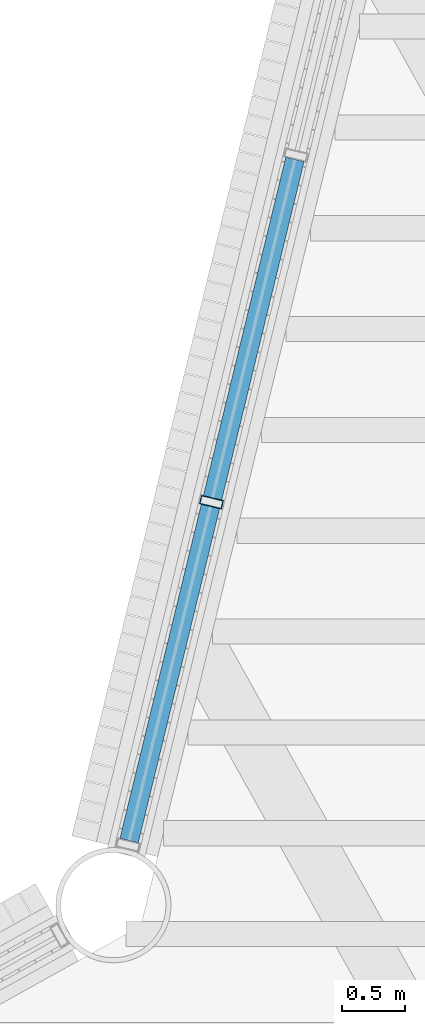
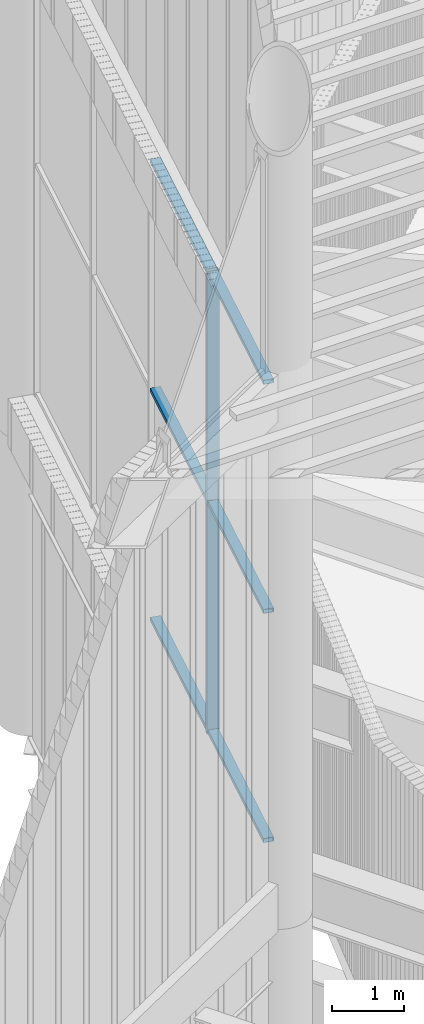
# One storey, part 39 of 117: 7 members, 1 element without a shape of its own.
"""IFC4 building model written with IfcOpenShell, lengths in metres."""

import ifcopenshell
import ifcopenshell.guid

model = None  # the IFC model being written
_history = None  # IfcOwnerHistory: only IFC2X3 demands one
_inside = {}  # id of a spatial element -> (the spatial element, [elements in it])
_under = {}  # id of a project, library or spatial element -> (it, [spatial elements below it])
_declared = {}  # id of a project -> (the project, [libraries it declares])
_typed = {}  # id of a type object -> (the type object, [elements of that type])
_made_of = {}  # id of a material, layer set ... -> (it, [elements and type objects made of it])


def new_model(schema):
    """Start an empty IFC model of exactly this schema.

    Asked for "IFC4X3", IfcOpenShell would pick the latest addendum, in which some entities
    have other attributes; the version numbers below select the first issue.
    IFC2X3 requires an IfcOwnerHistory on every rooted entity: one is made here for all.
    """
    global model, _history
    if schema == "IFC4X3":
        model = ifcopenshell.file(schema_version=(4, 3, 0, 0))
    else:
        model = ifcopenshell.file(schema=schema)
    _inside.clear()
    _under.clear()
    _declared.clear()
    _typed.clear()
    _made_of.clear()
    _history = None
    if model.schema == "IFC2X3":
        org = make("IfcOrganization", Name="unknown")
        user = make(
            "IfcPersonAndOrganization",
            ThePerson=make("IfcPerson", FamilyName="unknown"),
            TheOrganization=org,
        )
        app = make(
            "IfcApplication",
            ApplicationDeveloper=org,
            Version="unknown",
            ApplicationFullName="unknown",
            ApplicationIdentifier="unknown",
        )
        _history = make(
            "IfcOwnerHistory",
            OwningUser=user,
            OwningApplication=app,
            ChangeAction="ADDED",
            CreationDate=0,
        )
    return model


def make(cls, **values):
    """One entity of the class cls with the attributes given. An attribute that is None is left unset."""
    return model.create_entity(
        cls, **{name: value for name, value in values.items() if value is not None}
    )


def rooted(cls, **values):
    """An entity with a GlobalId (a new one), such as an element, a storey or a relation."""
    return make(cls, GlobalId=ifcopenshell.guid.new(), OwnerHistory=_history, **values)


def si_unit(unit_type, name, prefix=None):
    """IfcSIUnit, for example si_unit("LENGTHUNIT", "METRE", prefix="MILLI")."""
    return make("IfcSIUnit", UnitType=unit_type, Prefix=prefix, Name=name)


def assignment(units):
    """IfcUnitAssignment: the units of a project."""
    return None if units is None else make("IfcUnitAssignment", Units=units)


def point(xyz):
    """IfcCartesianPoint."""
    return None if xyz is None else make("IfcCartesianPoint", Coordinates=xyz)


def direction(xyz):
    """IfcDirection."""
    return None if xyz is None else make("IfcDirection", DirectionRatios=xyz)


def frame(location, z_axis=None, x_axis=None):
    """IfcAxis2Placement3D, a coordinate frame: its origin and axes. An axis left out is left unset."""
    return make(
        "IfcAxis2Placement3D",
        Location=point(location),
        Axis=direction(z_axis),
        RefDirection=direction(x_axis),
    )


def frame_2d(location, x_axis=None):
    """IfcAxis2Placement2D, a coordinate frame in the plane: its origin and x axis."""
    return make(
        "IfcAxis2Placement2D", Location=point(location), RefDirection=direction(x_axis)
    )


def origin():
    """The frame at (0, 0, 0) with its axes left unset."""
    return frame((0.0, 0.0, 0.0))


def origin_2d():
    """The frame at (0, 0) in the plane with its x axis left unset."""
    return frame_2d((0.0, 0.0))


def place(relative_to, where):
    """IfcLocalPlacement: puts the frame where relative to a parent placement (None: the world)."""
    return make(
        "IfcLocalPlacement", PlacementRelTo=relative_to, RelativePlacement=where
    )


def context(
    kind, dimensions, precision=None, world=None, true_north=None, identifier=None
):
    """IfcGeometricRepresentationContext, for example the 3D "Model" context."""
    return make(
        "IfcGeometricRepresentationContext",
        ContextIdentifier=identifier,
        ContextType=kind,
        CoordinateSpaceDimension=dimensions,
        Precision=precision,
        WorldCoordinateSystem=world,
        TrueNorth=true_north,
    )


def subcontext(parent, identifier, kind, view, scale=None):
    """IfcGeometricRepresentationSubContext, for example "Body" below "Model"."""
    return make(
        "IfcGeometricRepresentationSubContext",
        ContextIdentifier=identifier,
        ContextType=kind,
        ParentContext=parent,
        TargetScale=scale,
        TargetView=view,
    )


def project(units=None, contexts=None):
    """IfcProject with its units and contexts."""
    return rooted(
        "IfcProject",
        Name="project",
        RepresentationContexts=contexts,
        UnitsInContext=assignment(units),
    )


def spatial(cls, under=None, at=None, **own):
    """A site, building, storey or space (cls), placed at a placement, below another one or the project."""
    s = rooted(cls, ObjectPlacement=at, **own)
    if under is not None:
        _under.setdefault(under.id(), (under, []))[1].append(s)
    return s


def profile(cls, at=None, kind="AREA", **sizes):
    """A parametric profile (cls). Its sizes go by their IFC names, for example OverallWidth=200.0."""
    return make(cls, ProfileType=kind, Position=at, **sizes)


def hollow_rectangle(**sizes):
    """IfcRectangleHollowProfileDef."""
    return profile("IfcRectangleHollowProfileDef", **sizes)


def extrude(swept, where, along, depth):
    """IfcExtrudedAreaSolid: the profile swept, set in the frame where, extruded along a direction by depth."""
    return make(
        "IfcExtrudedAreaSolid",
        SweptArea=swept,
        Position=where,
        ExtrudedDirection=direction(along),
        Depth=depth,
    )


def shape(context_of_items, identifier, shape_type, items):
    """IfcShapeRepresentation: the items that make up one representation, for example the "Body"."""
    return make(
        "IfcShapeRepresentation",
        ContextOfItems=context_of_items,
        RepresentationIdentifier=identifier,
        RepresentationType=shape_type,
        Items=items,
    )


def material(Name=None, Category=None):
    """IfcMaterial."""
    return make("IfcMaterial", Name=Name, Category=Category)


def layer(
    of_material, thickness, ventilated=None, Name=None, Category=None, Priority=None
):
    """IfcMaterialLayer: one layer of a wall or slab, of a material (None: an air gap)."""
    return make(
        "IfcMaterialLayer",
        Material=of_material,
        LayerThickness=thickness,
        IsVentilated=ventilated,
        Name=Name,
        Category=Category,
        Priority=Priority,
    )


def layer_set(layers, Name=None):
    """IfcMaterialLayerSet."""
    return make("IfcMaterialLayerSet", MaterialLayers=layers, LayerSetName=Name)


def material_profile(
    of_material, cross_section, Name=None, Category=None, Priority=None
):
    """IfcMaterialProfile: a cross section and its material."""
    return make(
        "IfcMaterialProfile",
        Name=Name,
        Material=of_material,
        Profile=cross_section,
        Priority=Priority,
        Category=Category,
    )


def profile_set(profiles, Name=None, composite=None):
    """IfcMaterialProfileSet."""
    return make(
        "IfcMaterialProfileSet",
        Name=Name,
        MaterialProfiles=profiles,
        CompositeProfile=composite,
    )


def made_of(thing, what):
    """Note that an element or type object is made of a material, layer set ...; save() writes the relation."""
    if what is not None:
        _made_of.setdefault(what.id(), (what, []))[1].append(thing)
    return thing


def type_object(cls, material=None, **own):
    """A type object (cls), such as IfcWallType, which elements share."""
    return made_of(rooted(cls, **own), material)


def element(
    cls,
    number,
    at=None,
    inside=None,
    cuts=None,
    type_object=None,
    material=None,
    context=None,
    identifier="Body",
    shape_type=None,
    held_by="IfcProductDefinitionShape",
    body=None,
    shapes=None,
    **own,
):
    """One element of the class cls, such as IfcWall. Its Tag is "e" and its number.

    at: its placement. inside: the storey or other place that contains it. cuts: it is an
    opening in that element (IfcRelVoidsElement). A single representation is given by context,
    identifier, shape_type and body (its items); several are given by shapes. held_by: the class
    of the entity that holds the representations. save() writes the other relations.
    """
    e = rooted(cls, Tag="e%d" % number, ObjectPlacement=at, **own)
    if body is not None:
        shapes = [shape(context, identifier, shape_type, body)]
    if shapes is not None:
        e.Representation = make(held_by, Representations=shapes)
    if inside is not None:
        _inside.setdefault(inside.id(), (inside, []))[1].append(e)
    if cuts is not None:
        rooted(
            "IfcRelVoidsElement", RelatingBuildingElement=cuts, RelatedOpeningElement=e
        )
    if type_object is not None:
        _typed.setdefault(type_object.id(), (type_object, []))[1].append(e)
    return made_of(e, material)


def aggregate(whole, parts):
    """IfcRelAggregates: a whole, such as a stair, and the parts it consists of."""
    return rooted("IfcRelAggregates", RelatingObject=whole, RelatedObjects=parts)


def save(model, path):
    """Write the relations noted so far, then the file.

    IfcRelAggregates (storeys below a building ...), IfcRelContainedInSpatialStructure (elements
    in a storey), IfcRelDefinesByType, IfcRelAssociatesMaterial and IfcRelDeclares: one each for
    every whole, place, type object, material and project.
    """
    for whole, parts in _under.values():
        aggregate(whole, parts)
    for where, things in _inside.values():
        rooted(
            "IfcRelContainedInSpatialStructure",
            RelatedElements=things,
            RelatingStructure=where,
        )
    for kind, things in _typed.values():
        rooted("IfcRelDefinesByType", RelatedObjects=things, RelatingType=kind)
    for what, things in _made_of.values():
        rooted("IfcRelAssociatesMaterial", RelatedObjects=things, RelatingMaterial=what)
    for by, libraries in _declared.values():
        rooted("IfcRelDeclares", RelatingContext=by, RelatedDefinitions=libraries)
    model.write(path)


model = new_model("IFC4")

# Units and contexts
model_context = context("Model", 3, precision=1e-05, world=origin(), true_north=direction((0.0, 1.0)))
body_context = subcontext(model_context, "Body", "Model", "MODEL_VIEW")
ifc_project = project(units=[si_unit("LENGTHUNIT", "METRE"), si_unit("AREAUNIT", "SQUARE_METRE"), si_unit("VOLUMEUNIT", "CUBIC_METRE"), si_unit("PLANEANGLEUNIT", "RADIAN"), si_unit("MASSUNIT", "GRAM", prefix="KILO")], contexts=[model_context])

# Site, building, storey
site_placement = place(None, origin())
site = spatial("IfcSite", under=ifc_project, at=site_placement, CompositionType="ELEMENT")
building_placement = place(site_placement, origin())
building = spatial("IfcBuilding", under=site, at=building_placement, Name="Tarsis Ring Headquarters", CompositionType="ELEMENT")
storey_placement = place(building_placement, frame((0.0, 0.0, 403.60009765625)))
storey = spatial("IfcBuildingStorey", under=building, at=storey_placement, Name="L95", CompositionType="ELEMENT", Elevation=403.60009765625)

# Curtain wall, members
ifc_material_1 = material(Name="Aluminium curtain wall", Category="aluminium")
ifc_layer = layer(ifc_material_1, 0.179931640625)
ifc_layer_set = layer_set([ifc_layer], Name="Curtain wall crown glazing")
curtain_wall_type = type_object("IfcCurtainWallType", Name="Curtain wall crown glazing", PredefinedType="NOTDEFINED", material=ifc_layer_set)
curtain_wall_placement = place(storey_placement, origin())
curtain_wall = element("IfcCurtainWall", 1, at=curtain_wall_placement, inside=storey, type_object=curtain_wall_type, Name="Crown glazing L13", PredefinedType="NOTDEFINED")
ifc_material_2 = material(Name="Aluminium mullion", Category="aluminium")
ifc_material_profile_1 = material_profile(ifc_material_2, hollow_rectangle(XDim=0.179931640625, YDim=0.070068359375, WallThickness=0.0048828125, at=origin_2d()), Name="RHS 180x70x5")
ifc_profile_set_1 = profile_set([ifc_material_profile_1], Name="Aluminium mullion")
member_type_1 = type_object("IfcMemberType", Name="Crown glazing mullion RHS 180x70x5", PredefinedType="MULLION", material=ifc_profile_set_1)
member_1_placement = place(storey_placement, frame((-28.260009765625, 3.962890625, 5.7998046875), z_axis=(0.0, 0.0, 1.0), x_axis=(0.971626473978, -0.236520601779, 0.0)))
member_1 = element("IfcMember", 2, at=member_1_placement, type_object=member_type_1, Name="CW-C mullion 4", PredefinedType="MULLION", context=body_context, shape_type="SweptSolid", body=[
    extrude(hollow_rectangle(XDim=0.179931640625, YDim=0.070068359375, WallThickness=0.0048828125, at=origin_2d()), origin(), (0.0, 0.0, 1.0), 7.800048828125),
])
ifc_material_3 = material(Name="Aluminium transom", Category="aluminium")
ifc_material_profile_2 = material_profile(ifc_material_3, hollow_rectangle(XDim=0.14990234375, YDim=0.070068359375, WallThickness=0.0048828125, at=origin_2d()), Name="RHS 150x70x5")
ifc_profile_set_2 = profile_set([ifc_material_profile_2], Name="Aluminium transom")
member_type_2 = type_object("IfcMemberType", Name="Crown glazing transom RHS 150x70x5", PredefinedType="USERDEFINED", material=ifc_profile_set_2)
member_2_placement = place(storey_placement, frame((-27.59814453125, 6.68212890625, 5.8349609375), z_axis=(-0.236482318073, -0.971635792485, 0.0), x_axis=(0.971635792485, -0.236482318073, 0.0)))
member_2 = element("IfcMember", 3, at=member_2_placement, type_object=member_type_2, Name="CW-C transom 3.1", ObjectType="TRANSOM", PredefinedType="USERDEFINED", context=body_context, shape_type="SweptSolid", body=[
    extrude(hollow_rectangle(XDim=0.14990234375, YDim=0.070068359375, WallThickness=0.0048828125, at=origin_2d()), origin(), (0.0, 0.0, 1.0), 2.763671875),
])
member_3_placement = place(storey_placement, frame((-27.59814453125, 6.68212890625, 9.699951171875), z_axis=(-0.236482318073, -0.971635792485, 0.0), x_axis=(0.971635792485, -0.236482318073, 0.0)))
member_3 = element("IfcMember", 4, at=member_3_placement, type_object=member_type_2, Name="CW-C transom 3.2", ObjectType="TRANSOM", PredefinedType="USERDEFINED", context=body_context, shape_type="SweptSolid", body=[
    extrude(hollow_rectangle(XDim=0.14990234375, YDim=0.070068359375, WallThickness=0.0048828125, at=origin_2d()), origin(), (0.0, 0.0, 1.0), 2.763671875),
])
member_4_placement = place(storey_placement, frame((-27.59814453125, 6.68212890625, 13.56494140625), z_axis=(-0.236482318073, -0.971635792485, 0.0), x_axis=(0.971635792485, -0.236482318073, 0.0)))
member_4 = element("IfcMember", 5, at=member_4_placement, type_object=member_type_2, Name="CW-C transom 3.3", ObjectType="TRANSOM", PredefinedType="USERDEFINED", context=body_context, shape_type="SweptSolid", body=[
    extrude(hollow_rectangle(XDim=0.14990234375, YDim=0.070068359375, WallThickness=0.0048828125, at=origin_2d()), origin(), (0.0, 0.0, 1.0), 2.763671875),
])
member_5_placement = place(storey_placement, frame((-28.268310546875, 3.9287109375, 5.8349609375), z_axis=(-0.236573040127, -0.971613707543, 0.0), x_axis=(0.971613707543, -0.236573040127, 0.0)))
member_5 = element("IfcMember", 6, at=member_5_placement, type_object=member_type_2, Name="CW-C transom 4.1", ObjectType="TRANSOM", PredefinedType="USERDEFINED", context=body_context, shape_type="SweptSolid", body=[
    extrude(hollow_rectangle(XDim=0.14990234375, YDim=0.070068359375, WallThickness=0.0048828125, at=origin_2d()), origin(), (0.0, 0.0, 1.0), 2.728515625),
])
member_6_placement = place(storey_placement, frame((-28.268310546875, 3.9287109375, 9.699951171875), z_axis=(-0.236573040127, -0.971613707543, 0.0), x_axis=(0.971613707543, -0.236573040127, 0.0)))
member_6 = element("IfcMember", 7, at=member_6_placement, type_object=member_type_2, Name="CW-C transom 4.2", ObjectType="TRANSOM", PredefinedType="USERDEFINED", context=body_context, shape_type="SweptSolid", body=[
    extrude(hollow_rectangle(XDim=0.14990234375, YDim=0.070068359375, WallThickness=0.0048828125, at=origin_2d()), origin(), (0.0, 0.0, 1.0), 2.728515625),
])
member_7_placement = place(storey_placement, frame((-28.268310546875, 3.9287109375, 13.56494140625), z_axis=(-0.236573040127, -0.971613707543, 0.0), x_axis=(0.971613707543, -0.236573040127, 0.0)))
member_7 = element("IfcMember", 8, at=member_7_placement, type_object=member_type_2, Name="CW-C transom 4.3", ObjectType="TRANSOM", PredefinedType="USERDEFINED", context=body_context, shape_type="SweptSolid", body=[
    extrude(hollow_rectangle(XDim=0.14990234375, YDim=0.070068359375, WallThickness=0.0048828125, at=origin_2d()), origin(), (0.0, 0.0, 1.0), 2.728515625),
])
aggregate(curtain_wall, [member_1, member_2, member_3, member_4, member_5, member_6, member_7])

save(model, "model.ifc")
